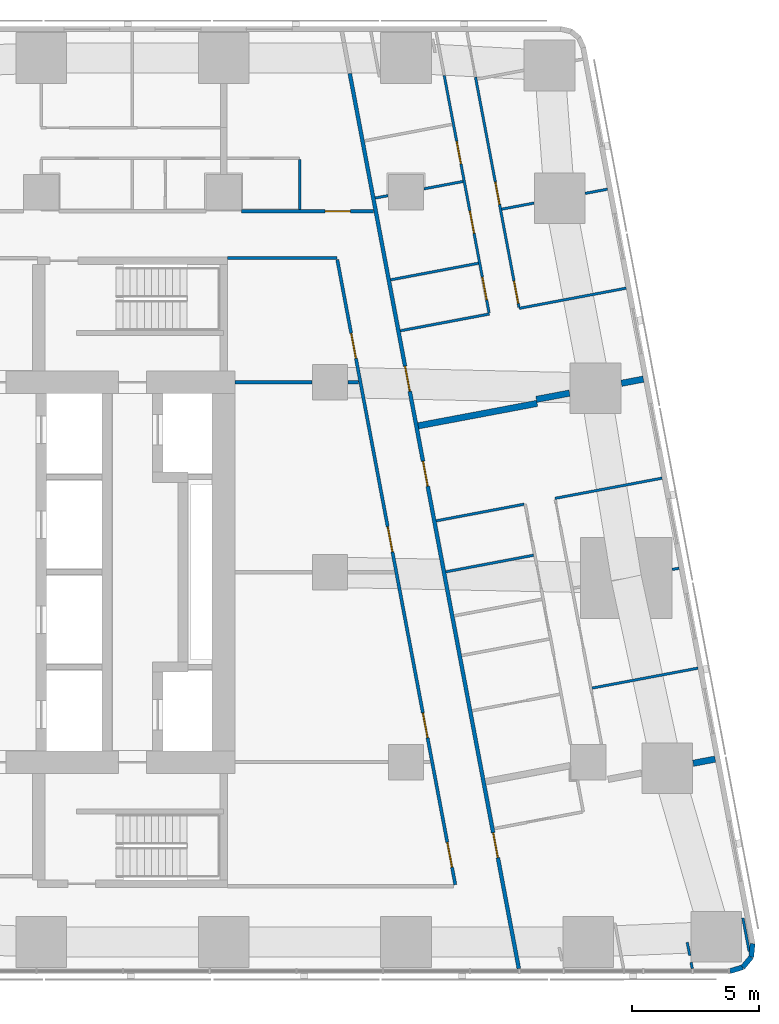
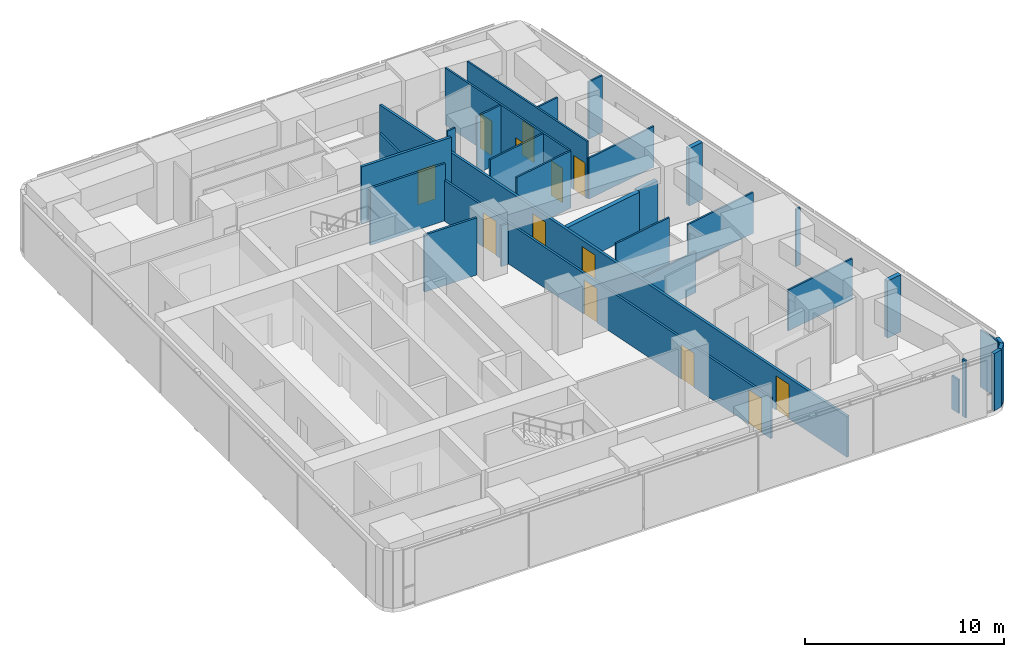
# One storey, part 7 of 11: 31 walls, 13 doors, 13 openings.
"""IFC4 building model written with IfcOpenShell, lengths in metres."""

from ifc_helpers import new_model, si_unit, direction, frame, frame_2d, origin, place, context, subcontext, project, spatial, rectangle, extrude, material, layer, layer_set, type_object, element, fill, save


model = new_model("IFC4")

# Units and contexts
model_context = context("Model", 3, precision=1e-05, world=origin(), true_north=direction((0.0, 1.0)))
body_context = subcontext(model_context, "Body", "Model", "MODEL_VIEW")
ifc_project = project(units=[si_unit("LENGTHUNIT", "METRE"), si_unit("AREAUNIT", "SQUARE_METRE"), si_unit("VOLUMEUNIT", "CUBIC_METRE"), si_unit("PLANEANGLEUNIT", "RADIAN"), si_unit("MASSUNIT", "GRAM", prefix="KILO")], contexts=[model_context])

# Site, building, storey
site_placement = place(None, origin())
site = spatial("IfcSite", under=ifc_project, at=site_placement, CompositionType="ELEMENT")
building_placement = place(site_placement, origin())
building = spatial("IfcBuilding", under=site, at=building_placement, Name="Sheger Commons Tower", CompositionType="ELEMENT")
storey_placement = place(building_placement, frame((0.0, 0.0, 277.85009765625)))
storey = spatial("IfcBuildingStorey", under=building, at=storey_placement, Name="L71", CompositionType="ELEMENT", Elevation=277.85009765625)

# Wall, opening, door
ifc_material_1 = material(Name="Hollow concrete block masonry, skimmed both sides", Category="masonry")
ifc_layer_1 = layer(ifc_material_1, 0.14990234375)
ifc_layer_set_1 = layer_set([ifc_layer_1], Name="CORRIDOR WALL 150")
wall_type_1 = type_object("IfcWallType", Name="CORRIDOR WALL 150", PredefinedType="SOLIDWALL", material=ifc_layer_set_1)
wall_1_placement = place(storey_placement, frame((29.5009765625, 36.75, 0.0), z_axis=(0.0, 0.0, 1.0), x_axis=(1.0, 0.0, 0.0)))
wall_1 = element("IfcWall", 1, at=wall_1_placement, inside=storey, type_object=wall_type_1, Name="Corridor wall L71", PredefinedType="SOLIDWALL", context=body_context, shape_type="SweptSolid", body=[
    extrude(rectangle(XDim=5.216064453125, YDim=0.14990234375, at=frame_2d((2.60791015625, 0.0))), origin(), (0.0, 0.0, 1.0), 3.5),
])
opening_1_placement = place(wall_1_placement, frame((3.304931640625, 0.0, 0.0)))
opening_1 = element("IfcOpeningElement", 2, at=opening_1_placement, cuts=wall_1, Name="Opening D1", PredefinedType="OPENING", context=body_context, shape_type="SweptSolid", body=[
    extrude(rectangle(XDim=1.0, YDim=2.10009765625, at=frame_2d((0.5, 1.050048828125))), frame((0.0, 0.0849609375, 0.0), z_axis=(0.0, -1.0, 0.0), x_axis=(1.0, 0.0, 0.0)), (0.0, 0.0, 1.0), 0.169921875),
])
ifc_material_2 = material(Name="Steel door set, fire rated", Category="steel")
door_type_1 = type_object("IfcDoorType", Name="FLAT ENTRANCE DOOR 1000x2100", OperationType="NOTDEFINED", PredefinedType="DOOR", material=ifc_material_2)
door_1_placement = place(opening_1_placement, origin())
door_1 = element("IfcDoor", 3, at=door_1_placement, inside=storey, type_object=door_type_1, Name="Flat entrance door", OperationType="SINGLE_SWING_RIGHT", OverallHeight=2.10009765625, OverallWidth=1.0, PredefinedType="DOOR", context=body_context, shape_type="SweptSolid", body=[
    extrude(rectangle(XDim=1.0, YDim=2.10009765625, at=frame_2d((0.5, 1.050048828125))), frame((0.0, 0.02490234375, 0.0), z_axis=(0.0, -1.0, 0.0), x_axis=(1.0, 0.0, 0.0)), (0.0, 0.0, 1.0), 0.050048828125),
])
fill(opening_1, door_1)

# Wall, openings, doors
wall_2_placement = place(storey_placement, frame((33.781005859375, 42.18603515625, 0.0), z_axis=(0.0, 0.0, 1.0), x_axis=(0.185593518645, -0.9826266055, 0.0)))
wall_2 = element("IfcWall", 4, at=wall_2_placement, inside=storey, type_object=wall_type_1, Name="Corridor wall L71", PredefinedType="SOLIDWALL", context=body_context, shape_type="SweptSolid", body=[
    extrude(rectangle(XDim=35.960693359375, YDim=0.14990234375, at=frame_2d((17.98046875, 0.0))), origin(), (0.0, 0.0, 1.0), 2.5),
])
opening_2_placement = place(wall_2_placement, frame((11.760009765625, 0.0, 0.0)))
opening_2 = element("IfcOpeningElement", 5, at=opening_2_placement, cuts=wall_2, Name="Opening D1", PredefinedType="OPENING", context=body_context, shape_type="SweptSolid", body=[
    extrude(rectangle(XDim=1.0, YDim=2.10009765625, at=frame_2d((0.5, 1.050048828125))), frame((0.0, 0.0849609375, 0.0), z_axis=(0.0, -1.0, 0.0), x_axis=(1.0, 0.0, 0.0)), (0.0, 0.0, 1.0), 0.169921875),
])
opening_3_placement = place(wall_2_placement, frame((15.575927734375, 0.0, 0.0)))
opening_3 = element("IfcOpeningElement", 6, at=opening_3_placement, cuts=wall_2, Name="Opening D1", PredefinedType="OPENING", context=body_context, shape_type="SweptSolid", body=[
    extrude(rectangle(XDim=1.0, YDim=2.10009765625, at=frame_2d((0.5, 1.050048828125))), frame((0.0, 0.0849609375, 0.0), z_axis=(0.0, -1.0, 0.0), x_axis=(1.0, 0.0, 0.0)), (0.0, 0.0, 1.0), 0.169921875),
])
opening_4_placement = place(wall_2_placement, frame((30.501953125, 0.0, 0.0)))
opening_4 = element("IfcOpeningElement", 7, at=opening_4_placement, cuts=wall_2, Name="Opening D1", PredefinedType="OPENING", context=body_context, shape_type="SweptSolid", body=[
    extrude(rectangle(XDim=1.0, YDim=2.10009765625, at=frame_2d((0.5, 1.050048828125))), frame((0.0, 0.0849609375, 0.0), z_axis=(0.0, -1.0, 0.0), x_axis=(1.0, 0.0, 0.0)), (0.0, 0.0, 1.0), 0.169921875),
])
door_2_placement = place(opening_2_placement, origin())
door_2 = element("IfcDoor", 8, at=door_2_placement, inside=storey, type_object=door_type_1, Name="Flat entrance door", OperationType="SINGLE_SWING_RIGHT", OverallHeight=2.10009765625, OverallWidth=1.0, PredefinedType="DOOR", context=body_context, shape_type="SweptSolid", body=[
    extrude(rectangle(XDim=1.0, YDim=2.10009765625, at=frame_2d((0.5, 1.050048828125))), frame((0.0, 0.02490234375, 0.0), z_axis=(0.0, -1.0, 0.0), x_axis=(1.0, 0.0, 0.0)), (0.0, 0.0, 1.0), 0.050048828125),
])
fill(opening_2, door_2)
door_3_placement = place(opening_3_placement, origin())
door_3 = element("IfcDoor", 9, at=door_3_placement, inside=storey, type_object=door_type_1, Name="Flat entrance door", OperationType="SINGLE_SWING_LEFT", OverallHeight=2.10009765625, OverallWidth=1.0, PredefinedType="DOOR", context=body_context, shape_type="SweptSolid", body=[
    extrude(rectangle(XDim=1.0, YDim=2.10009765625, at=frame_2d((0.5, 1.050048828125))), frame((0.0, 0.02490234375, 0.0), z_axis=(0.0, -1.0, 0.0), x_axis=(1.0, 0.0, 0.0)), (0.0, 0.0, 1.0), 0.050048828125),
])
fill(opening_3, door_3)
door_4_placement = place(opening_4_placement, origin())
door_4 = element("IfcDoor", 10, at=door_4_placement, inside=storey, type_object=door_type_1, Name="Flat entrance door", OperationType="SINGLE_SWING_LEFT", OverallHeight=2.10009765625, OverallWidth=1.0, PredefinedType="DOOR", context=body_context, shape_type="SweptSolid", body=[
    extrude(rectangle(XDim=1.0, YDim=2.10009765625, at=frame_2d((0.5, 1.050048828125))), frame((0.0, 0.02490234375, 0.0), z_axis=(0.0, -1.0, 0.0), x_axis=(1.0, 0.0, 0.0)), (0.0, 0.0, 1.0), 0.050048828125),
])
fill(opening_4, door_4)

# Walls
ifc_material_3 = material(Name="Dense concrete block masonry, plastered both sides (separating wall between flats)", Category="masonry")
ifc_layer_2 = layer(ifc_material_3, 0.25)
ifc_layer_set_2 = layer_set([ifc_layer_2], Name="DEMISING WALL 250")
wall_type_2 = type_object("IfcWallType", Name="DEMISING WALL 250", PredefinedType="SOLIDWALL", material=ifc_layer_set_2)
wall_3_placement = place(storey_placement, frame((45.3720703125, 30.12109375, 0.0), z_axis=(0.0, 0.0, 1.0), x_axis=(-0.982608419258, -0.185689780017, 0.0)))
element("IfcWall", 11, at=wall_3_placement, inside=storey, type_object=wall_type_2, Name="Demising wall L71", PredefinedType="SOLIDWALL", context=body_context, shape_type="SweptSolid", body=[
    extrude(rectangle(XDim=0.883544921875, YDim=0.25, at=frame_2d((0.44189453125, 0.0))), origin(), (0.0, 0.0, 1.0), 3.5),
])
wall_4_placement = place(storey_placement, frame((42.4560546875, 29.570068359375, 0.0), z_axis=(0.0, 0.0, 1.0), x_axis=(-0.982517742323, -0.18616897169, 0.0)))
element("IfcWall", 12, at=wall_4_placement, inside=storey, type_object=wall_type_2, Name="Demising wall L71", PredefinedType="SOLIDWALL", context=body_context, shape_type="SweptSolid", body=[
    extrude(rectangle(XDim=1.332275390625, YDim=0.25, at=frame_2d((0.666015625, 0.0))), origin(), (0.0, 0.0, 1.0), 2.5),
])
wall_5_placement = place(storey_placement, frame((41.177001953125, 29.1640625, 0.0), z_axis=(0.0, 0.0, 1.0), x_axis=(-0.982642846239, -0.185507511263, 0.0)))
element("IfcWall", 13, at=wall_5_placement, inside=storey, type_object=wall_type_2, Name="Demising wall L71", PredefinedType="SOLIDWALL", context=body_context, shape_type="SweptSolid", body=[
    extrude(rectangle(XDim=4.776123046875, YDim=0.25, at=frame_2d((2.38818359375, 0.0))), origin(), (0.0, 0.0, 1.0), 2.5),
])
wall_6_placement = place(storey_placement, frame((48.2060546875, 15.1201171875, 0.0), z_axis=(0.0, 0.0, 1.0), x_axis=(-0.982608419258, -0.185689780017, 0.0)))
element("IfcWall", 14, at=wall_6_placement, inside=storey, type_object=wall_type_2, Name="Demising wall L71", PredefinedType="SOLIDWALL", context=body_context, shape_type="SweptSolid", body=[
    extrude(rectangle(XDim=0.883544921875, YDim=0.25, at=frame_2d((0.44189453125, 0.0))), origin(), (0.0, 0.0, 1.0), 3.5),
])
ifc_material_4 = material(Name="Rendered concrete block masonry, dark grey", Category="masonry")
ifc_layer_3 = layer(ifc_material_4, 0.199951171875)
ifc_layer_set_3 = layer_set([ifc_layer_3], Name="FACADE WALL 200")
wall_type_3 = type_object("IfcWallType", Name="FACADE WALL 200", PredefinedType="SOLIDWALL", material=ifc_layer_set_3)
wall_7_placement = place(storey_placement, frame((48.787109375, 6.75, 0.0), z_axis=(0.0, 0.0, 1.0), x_axis=(0.957282247819, 0.289155145225, 0.0)))
element("IfcWall", 15, at=wall_7_placement, inside=storey, type_object=wall_type_3, Name="Facade wall L71", PredefinedType="SOLIDWALL", context=body_context, shape_type="SweptSolid", body=[
    extrude(rectangle(XDim=0.53271484375, YDim=0.199951171875, at=frame_2d((0.266357421875, 0.0))), origin(), (0.0, 0.0, 1.0), 3.5),
])
wall_8_placement = place(storey_placement, frame((49.297119140625, 6.904052734375, 0.0), z_axis=(0.0, 0.0, 1.0), x_axis=(0.639255849474, 0.768994121508, 0.0)))
element("IfcWall", 16, at=wall_8_placement, inside=storey, type_object=wall_type_3, Name="Facade wall L71", PredefinedType="SOLIDWALL", context=body_context, shape_type="SweptSolid", body=[
    extrude(rectangle(XDim=0.517578125, YDim=0.199951171875, at=frame_2d((0.2587890625, 0.0))), origin(), (0.0, 0.0, 1.0), 3.5),
])
wall_9_placement = place(storey_placement, frame((49.6279296875, 7.302001953125, 0.0), z_axis=(0.0, 0.0, 1.0), x_axis=(0.105352390132, 0.994434952068, 0.0)))
element("IfcWall", 17, at=wall_9_placement, inside=storey, type_object=wall_type_3, Name="Facade wall L71", PredefinedType="SOLIDWALL", context=body_context, shape_type="SweptSolid", body=[
    extrude(rectangle(XDim=0.532958984375, YDim=0.199951171875, at=frame_2d((0.2666015625, 0.0))), origin(), (0.0, 0.0, 1.0), 3.5),
])
ifc_material_5 = material(Name="Gypsum board on steel studs", Category="steel")
ifc_layer_4 = layer(ifc_material_5, 0.10009765625)
ifc_layer_set_4 = layer_set([ifc_layer_4], Name="PARTITION 100")
wall_type_4 = type_object("IfcWallType", Name="PARTITION 100", PredefinedType="PARTITIONING", material=ifc_layer_set_4)
wall_10_placement = place(storey_placement, frame((49.300048828125, 8.85107421875, 0.0), z_axis=(0.0, 0.0, 1.0), x_axis=(0.18581620423, -0.982584519645, 0.0)))
element("IfcWall", 18, at=wall_10_placement, inside=storey, type_object=wall_type_4, Name="Partition L71", PredefinedType="PARTITIONING", context=body_context, shape_type="SweptSolid", body=[
    extrude(rectangle(XDim=1.3505859375, YDim=0.10009765625, at=frame_2d((0.67529296875, 0.0))), origin(), (0.0, 0.0, 1.0), 3.5),
])
wall_11_placement = place(storey_placement, frame((47.301025390625, 6.85009765625, 0.0), z_axis=(0.0, 0.0, 1.0), x_axis=(-0.187513903188, 0.982261948826, 0.0)))
element("IfcWall", 19, at=wall_11_placement, inside=storey, type_object=wall_type_4, Name="Partition L71", PredefinedType="PARTITIONING", context=body_context, shape_type="SweptSolid", body=[
    extrude(rectangle(XDim=0.251220703125, YDim=0.10009765625, at=frame_2d((0.12548828125, 0.0))), origin(), (0.0, 0.0, 1.0), 3.5),
])
wall_12_placement = place(storey_placement, frame((47.202880859375, 7.368896484375, 0.0), z_axis=(0.0, 0.0, 1.0), x_axis=(-0.186456243114, 0.982463266185, 0.0)))
element("IfcWall", 20, at=wall_12_placement, inside=storey, type_object=wall_type_4, Name="Partition L71", PredefinedType="PARTITIONING", context=body_context, shape_type="SweptSolid", body=[
    extrude(rectangle(XDim=0.5302734375, YDim=0.10009765625, at=frame_2d((0.26513671875, 0.0))), origin(), (0.0, 0.0, 1.0), 2.0498046875),
])

# Wall, openings, doors
wall_13_placement = place(storey_placement, frame((38.743896484375, 42.044921875, 0.0), z_axis=(0.0, 0.0, 1.0), x_axis=(0.185588352162, -0.982627581305, 0.0)))
wall_13 = element("IfcWall", 21, at=wall_13_placement, inside=storey, type_object=wall_type_4, Name="Partition L71", PredefinedType="PARTITIONING", context=body_context, shape_type="SweptSolid", body=[
    extrude(rectangle(XDim=9.241455078125, YDim=0.10009765625, at=frame_2d((4.62060546875, 0.0))), origin(), (0.0, 0.0, 1.0), 3.5),
])
opening_5_placement = place(wall_13_placement, frame((8.19091796875, 0.0, 0.0)))
opening_5 = element("IfcOpeningElement", 22, at=opening_5_placement, cuts=wall_13, Name="Opening D2", PredefinedType="OPENING", context=body_context, shape_type="SweptSolid", body=[
    extrude(rectangle(XDim=0.89990234375, YDim=2.10009765625, at=frame_2d((0.449951171875, 1.050048828125))), frame((0.0, 0.06005859375, 0.0), z_axis=(0.0, -1.0, 0.0), x_axis=(1.0, 0.0, 0.0)), (0.0, 0.0, 1.0), 0.1201171875),
])
opening_6_placement = place(wall_13_placement, frame((4.215087890625, 0.0, 0.0)))
opening_6 = element("IfcOpeningElement", 23, at=opening_6_placement, cuts=wall_13, Name="Opening D2", PredefinedType="OPENING", context=body_context, shape_type="SweptSolid", body=[
    extrude(rectangle(XDim=0.89990234375, YDim=2.10009765625, at=frame_2d((0.449951171875, 1.050048828125))), frame((0.0, 0.06005859375, 0.0), z_axis=(0.0, -1.0, 0.0), x_axis=(1.0, 0.0, 0.0)), (0.0, 0.0, 1.0), 0.1201171875),
])
ifc_material_6 = material(Name="Timber door set", Category="wood")
door_type_2 = type_object("IfcDoorType", Name="INTERNAL DOOR 900x2100", OperationType="NOTDEFINED", PredefinedType="DOOR", material=ifc_material_6)
door_5_placement = place(opening_5_placement, origin())
door_5 = element("IfcDoor", 24, at=door_5_placement, inside=storey, type_object=door_type_2, Name="Main bedroom door", OperationType="SINGLE_SWING_RIGHT", OverallHeight=2.10009765625, OverallWidth=0.89990234375, PredefinedType="DOOR", context=body_context, shape_type="SweptSolid", body=[
    extrude(rectangle(XDim=0.89990234375, YDim=2.10009765625, at=frame_2d((0.449951171875, 1.050048828125))), frame((0.0, 0.02490234375, 0.0), z_axis=(0.0, -1.0, 0.0), x_axis=(1.0, 0.0, 0.0)), (0.0, 0.0, 1.0), 0.050048828125),
])
fill(opening_5, door_5)
door_6_placement = place(opening_6_placement, origin())
door_6 = element("IfcDoor", 25, at=door_6_placement, inside=storey, type_object=door_type_2, Name="Bedroom 2 door", OperationType="SINGLE_SWING_RIGHT", OverallHeight=2.10009765625, OverallWidth=0.89990234375, PredefinedType="DOOR", context=body_context, shape_type="SweptSolid", body=[
    extrude(rectangle(XDim=0.89990234375, YDim=2.10009765625, at=frame_2d((0.449951171875, 1.050048828125))), frame((0.0, 0.02490234375, 0.0), z_axis=(0.0, -1.0, 0.0), x_axis=(1.0, 0.0, 0.0)), (0.0, 0.0, 1.0), 0.050048828125),
])
fill(opening_6, door_6)

wall_14_placement = place(storey_placement, frame((37.510009765625, 42.10888671875, 0.0), z_axis=(0.0, 0.0, 1.0), x_axis=(0.185659798122, -0.982614084654, 0.0)))
wall_14 = element("IfcWall", 26, at=wall_14_placement, inside=storey, type_object=wall_type_4, Name="Partition L71", PredefinedType="PARTITIONING", context=body_context, shape_type="SweptSolid", body=[
    extrude(rectangle(XDim=9.53369140625, YDim=0.10009765625, at=frame_2d((4.766845703125, 0.0))), origin(), (0.0, 0.0, 1.0), 3.5),
])
opening_7_placement = place(wall_14_placement, frame((8.10888671875, 0.0, 0.0)))
opening_7 = element("IfcOpeningElement", 27, at=opening_7_placement, cuts=wall_14, Name="Opening D2", PredefinedType="OPENING", context=body_context, shape_type="SweptSolid", body=[
    extrude(rectangle(XDim=0.89990234375, YDim=2.10009765625, at=frame_2d((0.449951171875, 1.050048828125))), frame((0.0, 0.06005859375, 0.0), z_axis=(0.0, -1.0, 0.0), x_axis=(1.0, 0.0, 0.0)), (0.0, 0.0, 1.0), 0.1201171875),
])
opening_8_placement = place(wall_14_placement, frame((2.64990234375, 0.0, 0.0)))
opening_8 = element("IfcOpeningElement", 28, at=opening_8_placement, cuts=wall_14, Name="Opening D2", PredefinedType="OPENING", context=body_context, shape_type="SweptSolid", body=[
    extrude(rectangle(XDim=0.89990234375, YDim=2.10009765625, at=frame_2d((0.449951171875, 1.050048828125))), frame((0.0, 0.06005859375, 0.0), z_axis=(0.0, -1.0, 0.0), x_axis=(1.0, 0.0, 0.0)), (0.0, 0.0, 1.0), 0.1201171875),
])
opening_9_placement = place(wall_14_placement, frame((5.43994140625, 0.0, 0.0)))
opening_9 = element("IfcOpeningElement", 29, at=opening_9_placement, cuts=wall_14, Name="Opening D2", PredefinedType="OPENING", context=body_context, shape_type="SweptSolid", body=[
    extrude(rectangle(XDim=0.89990234375, YDim=2.10009765625, at=frame_2d((0.449951171875, 1.050048828125))), frame((0.0, 0.06005859375, 0.0), z_axis=(0.0, -1.0, 0.0), x_axis=(1.0, 0.0, 0.0)), (0.0, 0.0, 1.0), 0.1201171875),
])
door_7_placement = place(opening_7_placement, origin())
door_7 = element("IfcDoor", 30, at=door_7_placement, inside=storey, type_object=door_type_2, Name="Bathroom door", OperationType="SINGLE_SWING_LEFT", OverallHeight=2.10009765625, OverallWidth=0.89990234375, PredefinedType="DOOR", context=body_context, shape_type="SweptSolid", body=[
    extrude(rectangle(XDim=0.89990234375, YDim=2.10009765625, at=frame_2d((0.449951171875, 1.050048828125))), frame((0.0, 0.02490234375, 0.0), z_axis=(0.0, -1.0, 0.0), x_axis=(1.0, 0.0, 0.0)), (0.0, 0.0, 1.0), 0.050048828125),
])
fill(opening_7, door_7)
door_8_placement = place(opening_8_placement, origin())
door_8 = element("IfcDoor", 31, at=door_8_placement, inside=storey, type_object=door_type_2, Name="Laundry room door", OperationType="SINGLE_SWING_RIGHT", OverallHeight=2.10009765625, OverallWidth=0.89990234375, PredefinedType="DOOR", context=body_context, shape_type="SweptSolid", body=[
    extrude(rectangle(XDim=0.89990234375, YDim=2.10009765625, at=frame_2d((0.449951171875, 1.050048828125))), frame((0.0, 0.02490234375, 0.0), z_axis=(0.0, -1.0, 0.0), x_axis=(1.0, 0.0, 0.0)), (0.0, 0.0, 1.0), 0.050048828125),
])
fill(opening_8, door_8)
door_9_placement = place(opening_9_placement, origin())
door_9 = element("IfcDoor", 32, at=door_9_placement, inside=storey, type_object=door_type_2, Name="Store door", OperationType="SINGLE_SWING_RIGHT", OverallHeight=2.10009765625, OverallWidth=0.89990234375, PredefinedType="DOOR", context=body_context, shape_type="SweptSolid", body=[
    extrude(rectangle(XDim=0.89990234375, YDim=2.10009765625, at=frame_2d((0.449951171875, 1.050048828125))), frame((0.0, 0.02490234375, 0.0), z_axis=(0.0, -1.0, 0.0), x_axis=(1.0, 0.0, 0.0)), (0.0, 0.0, 1.0), 0.050048828125),
])
fill(opening_9, door_9)

# Walls
wall_15_placement = place(storey_placement, frame((43.955078125, 37.6201171875, 0.0), z_axis=(0.0, 0.0, 1.0), x_axis=(-0.982708424405, -0.18515980288, 0.0)))
element("IfcWall", 33, at=wall_15_placement, inside=storey, type_object=wall_type_4, Name="Partition L71", PredefinedType="PARTITIONING", context=body_context, shape_type="SweptSolid", body=[
    extrude(rectangle(XDim=0.896728515625, YDim=0.10009765625, at=frame_2d((0.4482421875, 0.0))), origin(), (0.0, 0.0, 1.0), 3.5),
])
wall_16_placement = place(storey_placement, frame((41.053955078125, 37.072021484375, 0.0), z_axis=(0.0, 0.0, 1.0), x_axis=(-0.982602741717, -0.185719821156, 0.0)))
element("IfcWall", 34, at=wall_16_placement, inside=storey, type_object=wall_type_4, Name="Partition L71", PredefinedType="PARTITIONING", context=body_context, shape_type="SweptSolid", body=[
    extrude(rectangle(XDim=1.29736328125, YDim=0.10009765625, at=frame_2d((0.648681640625, 0.0))), origin(), (0.0, 0.0, 1.0), 3.5),
])
wall_17_placement = place(storey_placement, frame((44.693115234375, 33.712890625, 0.0), z_axis=(0.0, 0.0, 1.0), x_axis=(-0.982633535512, -0.185556823879, 0.0)))
element("IfcWall", 35, at=wall_17_placement, inside=storey, type_object=wall_type_4, Name="Partition L71", PredefinedType="PARTITIONING", context=body_context, shape_type="SweptSolid", body=[
    extrude(rectangle(XDim=4.2998046875, YDim=0.10009765625, at=frame_2d((2.14990234375, 0.0))), origin(), (0.0, 0.0, 1.0), 2.5),
])
wall_18_placement = place(storey_placement, frame((38.25, 37.925048828125, 0.0), z_axis=(0.0, 0.0, 1.0), x_axis=(-0.982610209589, -0.185680305934, 0.0)))
element("IfcWall", 36, at=wall_18_placement, inside=storey, type_object=wall_type_4, Name="Partition L71", PredefinedType="PARTITIONING", context=body_context, shape_type="SweptSolid", body=[
    extrude(rectangle(XDim=1.5673828125, YDim=0.10009765625, at=frame_2d((0.78369140625, 0.0))), origin(), (0.0, 0.0, 1.0), 3.5),
])
wall_19_placement = place(storey_placement, frame((35.2900390625, 37.365966796875, 0.0), z_axis=(0.0, 0.0, 1.0), x_axis=(-0.982715597703, -0.185121727606, 0.0)))
element("IfcWall", 37, at=wall_19_placement, inside=storey, type_object=wall_type_4, Name="Partition L71", PredefinedType="PARTITIONING", context=body_context, shape_type="SweptSolid", body=[
    extrude(rectangle(XDim=0.512939453125, YDim=0.10009765625, at=frame_2d((0.25634765625, 0.0))), origin(), (0.0, 0.0, 1.0), 3.5),
])
wall_20_placement = place(storey_placement, frame((39.2890625, 32.69189453125, 0.0), z_axis=(0.0, 0.0, 1.0), x_axis=(-0.982662827464, -0.185401638399, 0.0)))
element("IfcWall", 38, at=wall_20_placement, inside=storey, type_object=wall_type_4, Name="Partition L71", PredefinedType="PARTITIONING", context=body_context, shape_type="SweptSolid", body=[
    extrude(rectangle(XDim=3.5751953125, YDim=0.10009765625, at=frame_2d((1.78759765625, 0.0))), origin(), (0.0, 0.0, 1.0), 3.5),
])
wall_21_placement = place(storey_placement, frame((38.85888671875, 34.697021484375, 0.0), z_axis=(0.0, 0.0, 1.0), x_axis=(-0.982626628545, -0.185593396635, 0.0)))
element("IfcWall", 39, at=wall_21_placement, inside=storey, type_object=wall_type_4, Name="Partition L71", PredefinedType="PARTITIONING", context=body_context, shape_type="SweptSolid", body=[
    extrude(rectangle(XDim=3.524169921875, YDim=0.10009765625, at=frame_2d((1.76220703125, 0.0))), origin(), (0.0, 0.0, 1.0), 3.5),
])
wall_22_placement = place(storey_placement, frame((46.110107421875, 26.212890625, 0.0), z_axis=(0.0, 0.0, 1.0), x_axis=(-0.982633535512, -0.185556823879, 0.0)))
element("IfcWall", 40, at=wall_22_placement, inside=storey, type_object=wall_type_4, Name="Partition L71", PredefinedType="PARTITIONING", context=body_context, shape_type="SweptSolid", body=[
    extrude(rectangle(XDim=4.2998046875, YDim=0.10009765625, at=frame_2d((2.14990234375, 0.0))), origin(), (0.0, 0.0, 1.0), 2.5),
])
wall_23_placement = place(storey_placement, frame((46.781982421875, 22.656982421875, 0.0), z_axis=(0.0, 0.0, 1.0), x_axis=(-0.982574553168, -0.185868898601, 0.0)))
element("IfcWall", 41, at=wall_23_placement, inside=storey, type_object=wall_type_4, Name="Partition L71", PredefinedType="PARTITIONING", context=body_context, shape_type="SweptSolid", body=[
    extrude(rectangle(XDim=0.27978515625, YDim=0.10009765625, at=frame_2d((0.139892578125, 0.0))), origin(), (0.0, 0.0, 1.0), 3.5),
])
wall_24_placement = place(storey_placement, frame((47.527099609375, 18.7119140625, 0.0), z_axis=(0.0, 0.0, 1.0), x_axis=(-0.982665405803, -0.185387972203, 0.0)))
element("IfcWall", 42, at=wall_24_placement, inside=storey, type_object=wall_type_4, Name="Partition L71", PredefinedType="PARTITIONING", context=body_context, shape_type="SweptSolid", body=[
    extrude(rectangle(XDim=4.249755859375, YDim=0.10009765625, at=frame_2d((2.125, 0.0))), origin(), (0.0, 0.0, 1.0), 2.5),
])
wall_25_placement = place(storey_placement, frame((40.656982421875, 25.18310546875, 0.0), z_axis=(0.0, 0.0, 1.0), x_axis=(-0.982585626838, -0.185810349366, 0.0)))
element("IfcWall", 43, at=wall_25_placement, inside=storey, type_object=wall_type_4, Name="Partition L71", PredefinedType="PARTITIONING", context=body_context, shape_type="SweptSolid", body=[
    extrude(rectangle(XDim=3.525146484375, YDim=0.10009765625, at=frame_2d((1.7626953125, 0.0))), origin(), (0.0, 0.0, 1.0), 3.5),
])
wall_26_placement = place(storey_placement, frame((41.037109375, 23.16796875, 0.0), z_axis=(0.0, 0.0, 1.0), x_axis=(-0.982638553676, -0.185530247748, 0.0)))
element("IfcWall", 44, at=wall_26_placement, inside=storey, type_object=wall_type_4, Name="Partition L71", PredefinedType="PARTITIONING", context=body_context, shape_type="SweptSolid", body=[
    extrude(rectangle(XDim=3.525390625, YDim=0.10009765625, at=frame_2d((1.7626953125, 0.0))), origin(), (0.0, 0.0, 1.0), 2.5),
])
wall_27_placement = place(storey_placement, frame((31.803955078125, 36.824951171875, 0.0), z_axis=(0.0, 0.0, 1.0), x_axis=(0.0, 1.0, 0.0)))
element("IfcWall", 45, at=wall_27_placement, inside=storey, type_object=wall_type_4, Name="Partition L71", PredefinedType="PARTITIONING", context=body_context, shape_type="SweptSolid", body=[
    extrude(rectangle(XDim=1.97509765625, YDim=0.10009765625, at=frame_2d((0.987548828125, 0.0))), origin(), (0.0, 0.0, 1.0), 3.5),
])
ifc_material_7 = material(Name="Gypsum board on steel studs, two layers each side, fire rated", Category="steel")
ifc_layer_5 = layer(ifc_material_7, 0.125)
ifc_layer_set_5 = layer_set([ifc_layer_5], Name="SERVICE WALL 125")
wall_type_5 = type_object("IfcWallType", Name="SERVICE WALL 125", PredefinedType="PARTITIONING", material=ifc_layer_set_5)
wall_28_placement = place(storey_placement, frame((28.949951171875, 34.89990234375, 0.0), z_axis=(0.0, 0.0, 1.0), x_axis=(1.0, 0.0, 0.0)))
element("IfcWall", 46, at=wall_28_placement, inside=storey, type_object=wall_type_5, Name="Service room wall L71", PredefinedType="PARTITIONING", context=body_context, shape_type="SweptSolid", body=[
    extrude(rectangle(XDim=4.333984375, YDim=0.125, at=frame_2d((2.1669921875, 0.0))), origin(), (0.0, 0.0, 1.0), 3.5),
])

# Wall, openings, doors
wall_29_placement = place(storey_placement, frame((37.947021484375, 10.1630859375, 0.0), z_axis=(0.0, 0.0, 1.0), x_axis=(-0.185572770922, 0.982630523998, 0.0)))
wall_29 = element("IfcWall", 47, at=wall_29_placement, inside=storey, type_object=wall_type_5, Name="Service room wall L71", PredefinedType="PARTITIONING", context=body_context, shape_type="SweptSolid", body=[
    extrude(rectangle(XDim=25.111083984375, YDim=0.125, at=frame_2d((12.5556640625, 0.0))), origin(), (0.0, 0.0, 1.0), 2.5),
])
opening_10_placement = place(wall_29_placement, frame((0.7080078125, 0.0, 0.0)))
opening_10 = element("IfcOpeningElement", 48, at=opening_10_placement, cuts=wall_29, Name="Opening D4", PredefinedType="OPENING", context=body_context, shape_type="SweptSolid", body=[
    extrude(rectangle(XDim=1.0, YDim=2.10009765625, at=frame_2d((0.5, 1.050048828125))), frame((0.0, 0.072509765625, 0.0), z_axis=(0.0, -1.0, 0.0), x_axis=(1.0, 0.0, 0.0)), (0.0, 0.0, 1.0), 0.14501953125),
])
opening_11_placement = place(wall_29_placement, frame((5.89990234375, 0.0, 0.0)))
opening_11 = element("IfcOpeningElement", 49, at=opening_11_placement, cuts=wall_29, Name="Opening D4", PredefinedType="OPENING", context=body_context, shape_type="SweptSolid", body=[
    extrude(rectangle(XDim=1.0, YDim=2.10009765625, at=frame_2d((0.5, 1.050048828125))), frame((0.0, 0.072509765625, 0.0), z_axis=(0.0, -1.0, 0.0), x_axis=(1.0, 0.0, 0.0)), (0.0, 0.0, 1.0), 0.14501953125),
])
opening_12_placement = place(wall_29_placement, frame((13.3779296875, 0.0, 0.0)))
opening_12 = element("IfcOpeningElement", 50, at=opening_12_placement, cuts=wall_29, Name="Opening D4", PredefinedType="OPENING", context=body_context, shape_type="SweptSolid", body=[
    extrude(rectangle(XDim=1.0, YDim=2.10009765625, at=frame_2d((0.5, 1.050048828125))), frame((0.0, 0.072509765625, 0.0), z_axis=(0.0, -1.0, 0.0), x_axis=(1.0, 0.0, 0.0)), (0.0, 0.0, 1.0), 0.14501953125),
])
opening_13_placement = place(wall_29_placement, frame((21.14990234375, 0.0, 0.0)))
opening_13 = element("IfcOpeningElement", 51, at=opening_13_placement, cuts=wall_29, Name="Opening D4", PredefinedType="OPENING", context=body_context, shape_type="SweptSolid", body=[
    extrude(rectangle(XDim=1.0, YDim=2.10009765625, at=frame_2d((0.5, 1.050048828125))), frame((0.0, 0.072509765625, 0.0), z_axis=(0.0, -1.0, 0.0), x_axis=(1.0, 0.0, 0.0)), (0.0, 0.0, 1.0), 0.14501953125),
])
ifc_material_8 = material(Name="Steel door set, fire rated", Category="steel")
door_type_3 = type_object("IfcDoorType", Name="SERVICE DOOR 1000x2100", OperationType="NOTDEFINED", PredefinedType="DOOR", material=ifc_material_8)
door_10_placement = place(opening_10_placement, origin())
door_10 = element("IfcDoor", 52, at=door_10_placement, inside=storey, type_object=door_type_3, Name="Residents' study room door", OperationType="SINGLE_SWING_LEFT", OverallHeight=2.10009765625, OverallWidth=1.0, PredefinedType="DOOR", context=body_context, shape_type="SweptSolid", body=[
    extrude(rectangle(XDim=1.0, YDim=2.10009765625, at=frame_2d((0.5, 1.050048828125))), frame((0.0, 0.02490234375, 0.0), z_axis=(0.0, -1.0, 0.0), x_axis=(1.0, 0.0, 0.0)), (0.0, 0.0, 1.0), 0.050048828125),
])
fill(opening_10, door_10)
door_11_placement = place(opening_11_placement, origin())
door_11 = element("IfcDoor", 53, at=door_11_placement, inside=storey, type_object=door_type_3, Name="Bicycle and pram store door", OperationType="SINGLE_SWING_LEFT", OverallHeight=2.10009765625, OverallWidth=1.0, PredefinedType="DOOR", context=body_context, shape_type="SweptSolid", body=[
    extrude(rectangle(XDim=1.0, YDim=2.10009765625, at=frame_2d((0.5, 1.050048828125))), frame((0.0, 0.02490234375, 0.0), z_axis=(0.0, -1.0, 0.0), x_axis=(1.0, 0.0, 0.0)), (0.0, 0.0, 1.0), 0.050048828125),
])
fill(opening_11, door_11)
door_12_placement = place(opening_12_placement, origin())
door_12 = element("IfcDoor", 54, at=door_12_placement, inside=storey, type_object=door_type_3, Name="Residents' store door", OperationType="SINGLE_SWING_LEFT", OverallHeight=2.10009765625, OverallWidth=1.0, PredefinedType="DOOR", context=body_context, shape_type="SweptSolid", body=[
    extrude(rectangle(XDim=1.0, YDim=2.10009765625, at=frame_2d((0.5, 1.050048828125))), frame((0.0, 0.02490234375, 0.0), z_axis=(0.0, -1.0, 0.0), x_axis=(1.0, 0.0, 0.0)), (0.0, 0.0, 1.0), 0.050048828125),
])
fill(opening_12, door_12)
door_13_placement = place(opening_13_placement, origin())
door_13 = element("IfcDoor", 55, at=door_13_placement, inside=storey, type_object=door_type_3, Name="Residents' meeting room door", OperationType="SINGLE_SWING_LEFT", OverallHeight=2.10009765625, OverallWidth=1.0, PredefinedType="DOOR", context=body_context, shape_type="SweptSolid", body=[
    extrude(rectangle(XDim=1.0, YDim=2.10009765625, at=frame_2d((0.5, 1.050048828125))), frame((0.0, 0.02490234375, 0.0), z_axis=(0.0, -1.0, 0.0), x_axis=(1.0, 0.0, 0.0)), (0.0, 0.0, 1.0), 0.050048828125),
])
fill(opening_13, door_13)

# Walls
wall_30_placement = place(storey_placement, frame((29.25, 30.0, 0.0), z_axis=(0.0, 0.0, 1.0), x_axis=(1.0, 0.0, 0.0)))
element("IfcWall", 56, at=wall_30_placement, inside=storey, type_object=wall_type_5, Name="Service room wall L71", PredefinedType="PARTITIONING", context=body_context, shape_type="SweptSolid", body=[
    extrude(rectangle(XDim=3.049072265625, YDim=0.125, at=frame_2d((1.5244140625, 0.0))), origin(), (0.0, 0.0, 1.0), 3.5),
])
wall_31_placement = place(storey_placement, frame((33.700927734375, 30.0, 0.0), z_axis=(0.0, 0.0, 1.0), x_axis=(1.0, 0.0, 0.0)))
element("IfcWall", 57, at=wall_31_placement, inside=storey, type_object=wall_type_5, Name="Service room wall L71", PredefinedType="PARTITIONING", context=body_context, shape_type="SweptSolid", body=[
    extrude(rectangle(XDim=0.424072265625, YDim=0.125, at=frame_2d((0.2119140625, 0.0))), origin(), (0.0, 0.0, 1.0), 2.5),
])

save(model, "model.ifc")
